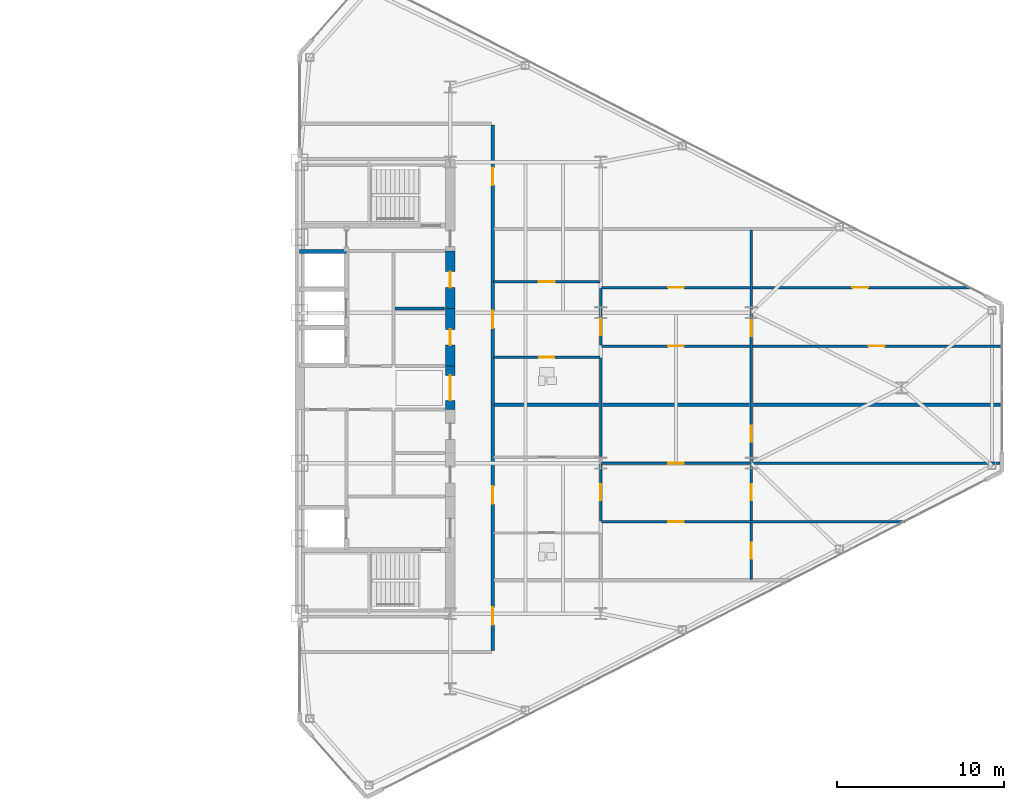
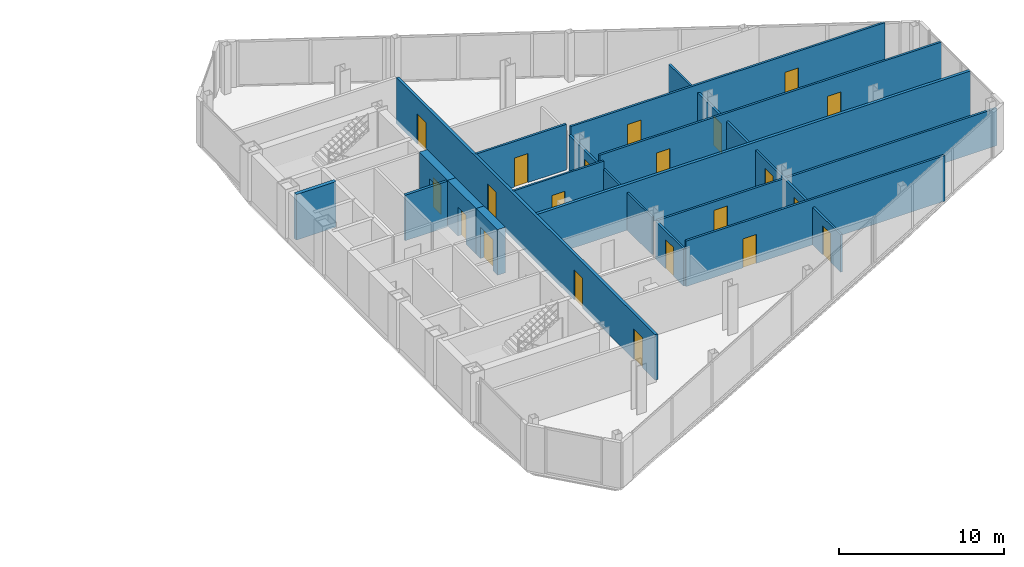
# One storey, part 19 of 23: 21 doors, 17 walls, 21 openings.
"""IFC4 building model written with IfcOpenShell, lengths in metres."""

from ifc_helpers import new_model, si_unit, direction, frame, frame_2d, origin, place, context, subcontext, project, spatial, rectangle, extrude, source, transform, mapped, material, layer, layer_set, type_object, type_shapes, element, fill, save


model = new_model("IFC4")

# Units and contexts
model_context = context("Model", 3, precision=1e-05, world=origin(), true_north=direction((0.0, 1.0)))
body_context = subcontext(model_context, "Body", "Model", "MODEL_VIEW")
ifc_project = project(units=[si_unit("LENGTHUNIT", "METRE"), si_unit("AREAUNIT", "SQUARE_METRE"), si_unit("VOLUMEUNIT", "CUBIC_METRE"), si_unit("PLANEANGLEUNIT", "RADIAN"), si_unit("MASSUNIT", "GRAM", prefix="KILO")], contexts=[model_context])

# Site, building, storey
site_placement = place(None, origin())
site = spatial("IfcSite", under=ifc_project, at=site_placement, CompositionType="ELEMENT")
building_placement = place(site_placement, origin())
building = spatial("IfcBuilding", under=site, at=building_placement, Name="Seokmaru Belvedere", CompositionType="ELEMENT")
storey_placement = place(building_placement, frame((0.0, 0.0, 147.60009765625)))
storey = spatial("IfcBuildingStorey", under=building, at=storey_placement, Name="L39", CompositionType="ELEMENT", Elevation=147.60009765625)

# Wall, opening, door
ifc_material_1 = material(Name="Fire-Rated Gypsum Shaftwall")
ifc_layer_1 = layer(ifc_material_1, 0.14990234375)
ifc_layer_set_1 = layer_set([ifc_layer_1], Name="Fire-Rated Gypsum Shaftwall")
wall_type_1 = type_object("IfcWallType", Name="Apartment Fire-Acoustic Room Partition 150", PredefinedType="PARTITIONING", material=ifc_layer_set_1)
wall_1_placement = place(storey_placement, frame((45.550048828125, -8.0, 0.0), z_axis=(0.0, 0.0, 1.0), x_axis=(1.0, 0.0, 0.0)))
wall_1 = element("IfcWall", 1, at=wall_1_placement, inside=storey, type_object=wall_type_1, Name="L39 Interior Partition 011", PredefinedType="PARTITIONING", context=body_context, shape_type="SweptSolid", body=[
    extrude(rectangle(XDim=18.138916015625, YDim=0.14990234375, at=frame_2d((9.0693359375, 0.0))), origin(), (0.0, 0.0, 1.0), 3.3798828125),
])
opening_1_placement = place(wall_1_placement, frame((3.97509765625, 0.0, 0.0)))
opening_1 = element("IfcOpeningElement", 2, at=opening_1_placement, cuts=wall_1, Name="Opening D05", PredefinedType="OPENING", context=body_context, shape_type="SweptSolid", body=[
    extrude(rectangle(XDim=0.949951171875, YDim=2.14990234375, at=frame_2d((0.47509765625, 1.074951171875))), frame((0.0, 0.0849609375, 0.0), z_axis=(0.0, -1.0, 0.0), x_axis=(1.0, 0.0, 0.0)), (0.0, 0.0, 1.0), 0.169921875),
])
ifc_material_2 = material(Name="Engineered White Oak Timber", Category="wood")
door_type_1 = type_object("IfcDoorType", Name="Apartment Interior Fire-Rated Oak Door 950x2150", OperationType="NOTDEFINED", PredefinedType="DOOR", material=ifc_material_2)
shared_shape_1 = source(origin(), body_context, "Body", "SweptSolid", [
    extrude(rectangle(XDim=0.949951171875, YDim=2.14990234375, at=frame_2d((0.47509765625, 1.074951171875))), frame((0.0, 0.02490234375, 0.0), z_axis=(0.0, -1.0, 0.0), x_axis=(1.0, 0.0, 0.0)), (0.0, 0.0, 1.0), 0.050048828125),
])
type_shapes(door_type_1, [shared_shape_1])
door_1_placement = place(opening_1_placement, origin())
door_1 = element("IfcDoor", 3, at=door_1_placement, inside=storey, type_object=door_type_1, Name="L39 Interior Door 042", OperationType="SINGLE_SWING_RIGHT", OverallHeight=2.14990234375, OverallWidth=0.949951171875, PredefinedType="DOOR", context=body_context, shape_type="MappedRepresentation", body=[
    mapped(shared_shape_1, transform((0.0, 0.0, 0.0), scale=1.0)),
])
fill(opening_1, door_1)

wall_2_placement = place(storey_placement, frame((45.550048828125, -4.5, 0.0), z_axis=(0.0, 0.0, 1.0), x_axis=(1.0, 0.0, 0.0)))
wall_2 = element("IfcWall", 4, at=wall_2_placement, inside=storey, type_object=wall_type_1, Name="L39 Interior Partition 013", PredefinedType="PARTITIONING", context=body_context, shape_type="SweptSolid", body=[
    extrude(rectangle(XDim=23.824951171875, YDim=0.14990234375, at=frame_2d((11.91259765625, 0.0))), origin(), (0.0, 0.0, 1.0), 2.77978515625),
])
opening_2_placement = place(wall_2_placement, frame((3.97509765625, 0.0, 0.0)))
opening_2 = element("IfcOpeningElement", 5, at=opening_2_placement, cuts=wall_2, Name="Opening D05", PredefinedType="OPENING", context=body_context, shape_type="SweptSolid", body=[
    extrude(rectangle(XDim=0.949951171875, YDim=2.14990234375, at=frame_2d((0.47509765625, 1.074951171875))), frame((0.0, 0.0849609375, 0.0), z_axis=(0.0, -1.0, 0.0), x_axis=(1.0, 0.0, 0.0)), (0.0, 0.0, 1.0), 0.169921875),
])
door_2_placement = place(opening_2_placement, origin())
door_2 = element("IfcDoor", 6, at=door_2_placement, inside=storey, type_object=door_type_1, Name="L39 Interior Door 043", OperationType="SINGLE_SWING_LEFT", OverallHeight=2.14990234375, OverallWidth=0.949951171875, PredefinedType="DOOR", context=body_context, shape_type="MappedRepresentation", body=[
    mapped(shared_shape_1, transform((0.0, 0.0, 0.0), scale=1.0)),
])
fill(opening_2, door_2)

# Wall, openings, doors
wall_3_placement = place(storey_placement, frame((45.550048828125, 2.5, 0.0), z_axis=(0.0, 0.0, 1.0), x_axis=(1.0, 0.0, 0.0)))
wall_3 = element("IfcWall", 7, at=wall_3_placement, inside=storey, type_object=wall_type_1, Name="L39 Interior Partition 020", PredefinedType="PARTITIONING", context=body_context, shape_type="SweptSolid", body=[
    extrude(rectangle(XDim=23.98486328125, YDim=0.14990234375, at=frame_2d((11.992431640625, 0.0))), origin(), (0.0, 0.0, 1.0), 3.3798828125),
])
opening_3_placement = place(wall_3_placement, frame((3.97509765625, 0.0, 0.0)))
opening_3 = element("IfcOpeningElement", 8, at=opening_3_placement, cuts=wall_3, Name="Opening D05", PredefinedType="OPENING", context=body_context, shape_type="SweptSolid", body=[
    extrude(rectangle(XDim=0.949951171875, YDim=2.14990234375, at=frame_2d((0.47509765625, 1.074951171875))), frame((0.0, 0.0849609375, 0.0), z_axis=(0.0, -1.0, 0.0), x_axis=(1.0, 0.0, 0.0)), (0.0, 0.0, 1.0), 0.169921875),
])
opening_4_placement = place(wall_3_placement, frame((15.97509765625, 0.0, 0.0)))
opening_4 = element("IfcOpeningElement", 9, at=opening_4_placement, cuts=wall_3, Name="Opening D05", PredefinedType="OPENING", context=body_context, shape_type="SweptSolid", body=[
    extrude(rectangle(XDim=0.949951171875, YDim=2.14990234375, at=frame_2d((0.47509765625, 1.074951171875))), frame((0.0, 0.0849609375, 0.0), z_axis=(0.0, -1.0, 0.0), x_axis=(1.0, 0.0, 0.0)), (0.0, 0.0, 1.0), 0.169921875),
])
door_3_placement = place(opening_3_placement, origin())
door_3 = element("IfcDoor", 10, at=door_3_placement, inside=storey, type_object=door_type_1, Name="L39 Interior Door 051", OperationType="SINGLE_SWING_RIGHT", OverallHeight=2.14990234375, OverallWidth=0.949951171875, PredefinedType="DOOR", context=body_context, shape_type="MappedRepresentation", body=[
    mapped(shared_shape_1, transform((0.0, 0.0, 0.0), scale=1.0)),
])
fill(opening_3, door_3)
door_4_placement = place(opening_4_placement, origin())
door_4 = element("IfcDoor", 11, at=door_4_placement, inside=storey, type_object=door_type_1, Name="L39 Interior Door 053", OperationType="SINGLE_SWING_LEFT", OverallHeight=2.14990234375, OverallWidth=0.949951171875, PredefinedType="DOOR", context=body_context, shape_type="MappedRepresentation", body=[
    mapped(shared_shape_1, transform((0.0, 0.0, 0.0), scale=1.0)),
])
fill(opening_4, door_4)

wall_4_placement = place(storey_placement, frame((45.550048828125, 6.0, 0.0), z_axis=(0.0, 0.0, 1.0), x_axis=(1.0, 0.0, 0.0)))
wall_4 = element("IfcWall", 12, at=wall_4_placement, inside=storey, type_object=wall_type_1, Name="L39 Interior Partition 023", PredefinedType="PARTITIONING", context=body_context, shape_type="SweptSolid", body=[
    extrude(rectangle(XDim=22.035888671875, YDim=0.14990234375, at=frame_2d((11.01806640625, 0.0))), origin(), (0.0, 0.0, 1.0), 3.3798828125),
])
opening_5_placement = place(wall_4_placement, frame((3.97509765625, 0.0, 0.0)))
opening_5 = element("IfcOpeningElement", 13, at=opening_5_placement, cuts=wall_4, Name="Opening D05", PredefinedType="OPENING", context=body_context, shape_type="SweptSolid", body=[
    extrude(rectangle(XDim=0.949951171875, YDim=2.14990234375, at=frame_2d((0.47509765625, 1.074951171875))), frame((0.0, 0.0849609375, 0.0), z_axis=(0.0, -1.0, 0.0), x_axis=(1.0, 0.0, 0.0)), (0.0, 0.0, 1.0), 0.169921875),
])
opening_6_placement = place(wall_4_placement, frame((15.000732421875, 0.0, 0.0)))
opening_6 = element("IfcOpeningElement", 14, at=opening_6_placement, cuts=wall_4, Name="Opening D05", PredefinedType="OPENING", context=body_context, shape_type="SweptSolid", body=[
    extrude(rectangle(XDim=0.949951171875, YDim=2.14990234375, at=frame_2d((0.47509765625, 1.074951171875))), frame((0.0, 0.0849609375, 0.0), z_axis=(0.0, -1.0, 0.0), x_axis=(1.0, 0.0, 0.0)), (0.0, 0.0, 1.0), 0.169921875),
])
door_5_placement = place(opening_5_placement, origin())
door_5 = element("IfcDoor", 15, at=door_5_placement, inside=storey, type_object=door_type_1, Name="L39 Interior Door 052", OperationType="SINGLE_SWING_LEFT", OverallHeight=2.14990234375, OverallWidth=0.949951171875, PredefinedType="DOOR", context=body_context, shape_type="MappedRepresentation", body=[
    mapped(shared_shape_1, transform((0.0, 0.0, 0.0), scale=1.0)),
])
fill(opening_5, door_5)
door_6_placement = place(opening_6_placement, origin())
door_6 = element("IfcDoor", 16, at=door_6_placement, inside=storey, type_object=door_type_1, Name="L39 Interior Door 054", OperationType="SINGLE_SWING_LEFT", OverallHeight=2.14990234375, OverallWidth=0.949951171875, PredefinedType="DOOR", context=body_context, shape_type="MappedRepresentation", body=[
    mapped(shared_shape_1, transform((0.0, 0.0, 0.0), scale=1.0)),
])
fill(opening_6, door_6)

# Wall, opening, door
wall_5_placement = place(storey_placement, frame((39.10009765625, 6.35009765625, 0.0), z_axis=(0.0, 0.0, 1.0), x_axis=(1.0, 0.0, 0.0)))
wall_5 = element("IfcWall", 17, at=wall_5_placement, inside=storey, type_object=wall_type_1, Name="L39 Interior Partition 024", PredefinedType="PARTITIONING", context=body_context, shape_type="SweptSolid", body=[
    extrude(rectangle(XDim=6.349853515625, YDim=0.14990234375, at=frame_2d((3.1748046875, 0.0))), origin(), (0.0, 0.0, 1.0), 3.3798828125),
])
opening_7_placement = place(wall_5_placement, frame((2.699951171875, 0.0, 0.0)))
opening_7 = element("IfcOpeningElement", 18, at=opening_7_placement, cuts=wall_5, Name="Opening D05", PredefinedType="OPENING", context=body_context, shape_type="SweptSolid", body=[
    extrude(rectangle(XDim=0.949951171875, YDim=2.14990234375, at=frame_2d((0.47509765625, 1.074951171875))), frame((0.0, 0.0849609375, 0.0), z_axis=(0.0, -1.0, 0.0), x_axis=(1.0, 0.0, 0.0)), (0.0, 0.0, 1.0), 0.169921875),
])
door_7_placement = place(opening_7_placement, origin())
door_7 = element("IfcDoor", 19, at=door_7_placement, inside=storey, type_object=door_type_1, Name="L39 Interior Door 048", OperationType="SINGLE_SWING_RIGHT", OverallHeight=2.14990234375, OverallWidth=0.949951171875, PredefinedType="DOOR", context=body_context, shape_type="MappedRepresentation", body=[
    mapped(shared_shape_1, transform((0.0, 0.0, 0.0), scale=1.0)),
])
fill(opening_7, door_7)

wall_6_placement = place(storey_placement, frame((45.5, -7.949951171875, 0.0), z_axis=(0.0, 0.0, 1.0), x_axis=(0.0, 1.0, 0.0)))
wall_6 = element("IfcWall", 20, at=wall_6_placement, inside=storey, type_object=wall_type_1, Name="L39 Interior Partition 045", PredefinedType="PARTITIONING", context=body_context, shape_type="SweptSolid", body=[
    extrude(rectangle(XDim=3.39990234375, YDim=0.14990234375, at=frame_2d((1.699951171875, 0.0))), origin(), (0.0, 0.0, 1.0), 2.77978515625),
])
opening_8_placement = place(wall_6_placement, frame((1.22509765625, 0.0, 0.0)))
opening_8 = element("IfcOpeningElement", 21, at=opening_8_placement, cuts=wall_6, Name="Opening D05", PredefinedType="OPENING", context=body_context, shape_type="SweptSolid", body=[
    extrude(rectangle(XDim=0.949951171875, YDim=2.14990234375, at=frame_2d((0.47509765625, 1.074951171875))), frame((0.0, 0.0849609375, 0.0), z_axis=(0.0, -1.0, 0.0), x_axis=(1.0, 0.0, 0.0)), (0.0, 0.0, 1.0), 0.169921875),
])
door_8_placement = place(opening_8_placement, origin())
door_8 = element("IfcDoor", 22, at=door_8_placement, inside=storey, type_object=door_type_1, Name="L39 Interior Door 040", OperationType="SINGLE_SWING_LEFT", OverallHeight=2.14990234375, OverallWidth=0.949951171875, PredefinedType="DOOR", context=body_context, shape_type="MappedRepresentation", body=[
    mapped(shared_shape_1, transform((0.0, 0.0, 0.0), scale=1.0)),
])
fill(opening_8, door_8)

wall_7_placement = place(storey_placement, frame((45.5, 2.550048828125, 0.0), z_axis=(0.0, 0.0, 1.0), x_axis=(0.0, 1.0, 0.0)))
wall_7 = element("IfcWall", 23, at=wall_7_placement, inside=storey, type_object=wall_type_1, Name="L39 Interior Partition 047", PredefinedType="PARTITIONING", context=body_context, shape_type="SweptSolid", body=[
    extrude(rectangle(XDim=3.39990234375, YDim=0.14990234375, at=frame_2d((1.699951171875, 0.0))), origin(), (0.0, 0.0, 1.0), 2.77978515625),
])
opening_9_placement = place(wall_7_placement, frame((0.5859375, 0.0, 0.0)))
opening_9 = element("IfcOpeningElement", 24, at=opening_9_placement, cuts=wall_7, Name="Opening D05", PredefinedType="OPENING", context=body_context, shape_type="SweptSolid", body=[
    extrude(rectangle(XDim=0.949951171875, YDim=2.14990234375, at=frame_2d((0.47509765625, 1.074951171875))), frame((0.0, 0.0849609375, 0.0), z_axis=(0.0, -1.0, 0.0), x_axis=(1.0, 0.0, 0.0)), (0.0, 0.0, 1.0), 0.169921875),
])
door_9_placement = place(opening_9_placement, origin())
door_9 = element("IfcDoor", 25, at=door_9_placement, inside=storey, type_object=door_type_1, Name="L39 Interior Door 049", OperationType="SINGLE_SWING_LEFT", OverallHeight=2.14990234375, OverallWidth=0.949951171875, PredefinedType="DOOR", context=body_context, shape_type="MappedRepresentation", body=[
    mapped(shared_shape_1, transform((0.0, 0.0, 0.0), scale=1.0)),
])
fill(opening_9, door_9)

# Wall, openings, doors
wall_8_placement = place(storey_placement, frame((54.5, -11.449951171875, 0.0), z_axis=(0.0, 0.0, 1.0), x_axis=(0.0, 1.0, 0.0)))
wall_8 = element("IfcWall", 26, at=wall_8_placement, inside=storey, type_object=wall_type_1, Name="L39 Interior Partition 049", PredefinedType="PARTITIONING", context=body_context, shape_type="SweptSolid", body=[
    extrude(rectangle(XDim=20.89990234375, YDim=0.14990234375, at=frame_2d((10.449951171875, 0.0))), origin(), (0.0, 0.0, 1.0), 2.77978515625),
])
opening_10_placement = place(wall_8_placement, frame((4.72509765625, 0.0, 0.0)))
opening_10 = element("IfcOpeningElement", 27, at=opening_10_placement, cuts=wall_8, Name="Opening D05", PredefinedType="OPENING", context=body_context, shape_type="SweptSolid", body=[
    extrude(rectangle(XDim=0.949951171875, YDim=2.14990234375, at=frame_2d((0.47509765625, 1.074951171875))), frame((0.0, 0.0849609375, 0.0), z_axis=(0.0, -1.0, 0.0), x_axis=(1.0, 0.0, 0.0)), (0.0, 0.0, 1.0), 0.169921875),
])
opening_11_placement = place(wall_8_placement, frame((1.22509765625, 0.0, 0.0)))
opening_11 = element("IfcOpeningElement", 28, at=opening_11_placement, cuts=wall_8, Name="Opening D05", PredefinedType="OPENING", context=body_context, shape_type="SweptSolid", body=[
    extrude(rectangle(XDim=0.949951171875, YDim=2.14990234375, at=frame_2d((0.47509765625, 1.074951171875))), frame((0.0, 0.0849609375, 0.0), z_axis=(0.0, -1.0, 0.0), x_axis=(1.0, 0.0, 0.0)), (0.0, 0.0, 1.0), 0.169921875),
])
opening_12_placement = place(wall_8_placement, frame((8.22509765625, 0.0, 0.0)))
opening_12 = element("IfcOpeningElement", 29, at=opening_12_placement, cuts=wall_8, Name="Opening D05", PredefinedType="OPENING", context=body_context, shape_type="SweptSolid", body=[
    extrude(rectangle(XDim=0.949951171875, YDim=2.14990234375, at=frame_2d((0.47509765625, 1.074951171875))), frame((0.0, 0.0849609375, 0.0), z_axis=(0.0, -1.0, 0.0), x_axis=(1.0, 0.0, 0.0)), (0.0, 0.0, 1.0), 0.169921875),
])
opening_13_placement = place(wall_8_placement, frame((14.55224609375, 0.0, 0.0)))
opening_13 = element("IfcOpeningElement", 30, at=opening_13_placement, cuts=wall_8, Name="Opening D05", PredefinedType="OPENING", context=body_context, shape_type="SweptSolid", body=[
    extrude(rectangle(XDim=0.949951171875, YDim=2.14990234375, at=frame_2d((0.47509765625, 1.074951171875))), frame((0.0, 0.0849609375, 0.0), z_axis=(0.0, -1.0, 0.0), x_axis=(1.0, 0.0, 0.0)), (0.0, 0.0, 1.0), 0.169921875),
])
door_10_placement = place(opening_10_placement, origin())
door_10 = element("IfcDoor", 31, at=door_10_placement, inside=storey, type_object=door_type_1, Name="L39 Interior Door 041", OperationType="SINGLE_SWING_RIGHT", OverallHeight=2.14990234375, OverallWidth=0.949951171875, PredefinedType="DOOR", context=body_context, shape_type="MappedRepresentation", body=[
    mapped(shared_shape_1, transform((0.0, 0.0, 0.0), scale=1.0)),
])
fill(opening_10, door_10)
door_11_placement = place(opening_11_placement, origin())
door_11 = element("IfcDoor", 32, at=door_11_placement, inside=storey, type_object=door_type_1, Name="L39 Interior Door 044", OperationType="SINGLE_SWING_LEFT", OverallHeight=2.14990234375, OverallWidth=0.949951171875, PredefinedType="DOOR", context=body_context, shape_type="MappedRepresentation", body=[
    mapped(shared_shape_1, transform((0.0, 0.0, 0.0), scale=1.0)),
])
fill(opening_11, door_11)
door_12_placement = place(opening_12_placement, origin())
door_12 = element("IfcDoor", 33, at=door_12_placement, inside=storey, type_object=door_type_1, Name="L39 Interior Door 045", OperationType="SINGLE_SWING_RIGHT", OverallHeight=2.14990234375, OverallWidth=0.949951171875, PredefinedType="DOOR", context=body_context, shape_type="MappedRepresentation", body=[
    mapped(shared_shape_1, transform((0.0, 0.0, 0.0), scale=1.0)),
])
fill(opening_12, door_12)
door_13_placement = place(opening_13_placement, origin())
door_13 = element("IfcDoor", 34, at=door_13_placement, inside=storey, type_object=door_type_1, Name="L39 Interior Door 050", OperationType="SINGLE_SWING_RIGHT", OverallHeight=2.14990234375, OverallWidth=0.949951171875, PredefinedType="DOOR", context=body_context, shape_type="MappedRepresentation", body=[
    mapped(shared_shape_1, transform((0.0, 0.0, 0.0), scale=1.0)),
])
fill(opening_13, door_13)

# Walls
ifc_layer_2 = layer(ifc_material_1, 0.179931640625)
ifc_layer_set_2 = layer_set([ifc_layer_2], Name="Fire-Rated Gypsum Shaftwall")
wall_type_2 = type_object("IfcWallType", Name="Core Service Fire Partition 180", PredefinedType="PARTITIONING", material=ifc_layer_set_2)
wall_9_placement = place(storey_placement, frame((33.199951171875, 4.75, 0.0), z_axis=(0.0, 0.0, 1.0), x_axis=(1.0, 0.0, 0.0)))
element("IfcWall", 35, at=wall_9_placement, inside=storey, type_object=wall_type_2, Name="L39 East Core Service Partition 2", PredefinedType="PARTITIONING", context=body_context, shape_type="SweptSolid", body=[
    extrude(rectangle(XDim=2.949951171875, YDim=0.179931640625, at=frame_2d((1.47509765625, 0.0))), origin(), (0.0, 0.0, 1.0), 3.3798828125),
])
ifc_material_3 = material(Name="Concrete C50 (50 MPa)", Category="concrete")
ifc_layer_3 = layer(ifc_material_3, 0.25)
ifc_layer_set_3 = layer_set([ifc_layer_3], Name="Concrete C50 (50 MPa)")
wall_type_3 = type_object("IfcWallType", Name="Hoistway Transverse Concrete Divider Wall 250", PredefinedType="SHEAR", material=ifc_layer_set_3)
wall_10_placement = place(storey_placement, frame((27.5, 8.14990234375, 0.0), z_axis=(0.0, 0.0, 1.0), x_axis=(1.0, 0.0, 0.0)))
element("IfcWall", 36, at=wall_10_placement, inside=storey, type_object=wall_type_3, Name="L39 East Hoistway Divider Core Wall 5", PredefinedType="SHEAR", context=body_context, shape_type="SweptSolid", body=[
    extrude(rectangle(XDim=2.800048828125, YDim=0.25, at=frame_2d((1.39990234375, 0.0))), origin(), (0.0, 0.0, 1.0), 3.3798828125),
])
ifc_layer_4 = layer(ifc_material_1, 0.199951171875)
ifc_layer_set_4 = layer_set([ifc_layer_4], Name="Fire-Rated Gypsum Shaftwall")
wall_type_4 = type_object("IfcWallType", Name="Inter-Tenancy Fire Compartment Partition 200", PredefinedType="PARTITIONING", material=ifc_layer_set_4)
wall_11_placement = place(storey_placement, frame((39.1298828125, -1.0, 0.0), z_axis=(0.0, 0.0, 1.0), x_axis=(1.0, 0.0, 0.0)))
element("IfcWall", 37, at=wall_11_placement, inside=storey, type_object=wall_type_4, Name="L39 Interior Partition 017", PredefinedType="PARTITIONING", context=body_context, shape_type="SweptSolid", body=[
    extrude(rectangle(XDim=30.375, YDim=0.199951171875, at=frame_2d((15.1875, 0.0))), origin(), (0.0, 0.0, 1.0), 3.3798828125),
])

# Wall, openings, doors
wall_12_placement = place(storey_placement, frame((39.050048828125, -15.715087890625, 0.0), z_axis=(0.0, 0.0, 1.0), x_axis=(0.0, 1.0, 0.0)))
wall_12 = element("IfcWall", 38, at=wall_12_placement, inside=storey, type_object=wall_type_4, Name="L39 Interior Partition 043", PredefinedType="PARTITIONING", context=body_context, shape_type="SweptSolid", body=[
    extrude(rectangle(XDim=31.43017578125, YDim=0.199951171875, at=frame_2d((15.715087890625, 0.0))), origin(), (0.0, 0.0, 1.0), 3.3798828125),
])
opening_14_placement = place(wall_12_placement, frame((1.5400390625, 0.0, 0.0)))
opening_14 = element("IfcOpeningElement", 39, at=opening_14_placement, cuts=wall_12, Name="Opening D03", PredefinedType="OPENING", context=body_context, shape_type="SweptSolid", body=[
    extrude(rectangle(XDim=1.050048828125, YDim=2.25, at=frame_2d((0.52490234375, 1.125))), frame((0.0, 0.10986328125, 0.0), z_axis=(0.0, -1.0, 0.0), x_axis=(1.0, 0.0, 0.0)), (0.0, 0.0, 1.0), 0.219970703125),
])
opening_15_placement = place(wall_12_placement, frame((8.782470703125, 0.0, 0.0)))
opening_15 = element("IfcOpeningElement", 40, at=opening_15_placement, cuts=wall_12, Name="Opening D03", PredefinedType="OPENING", context=body_context, shape_type="SweptSolid", body=[
    extrude(rectangle(XDim=1.050048828125, YDim=2.25, at=frame_2d((0.52490234375, 1.125))), frame((0.0, 0.10986328125, 0.0), z_axis=(0.0, -1.0, 0.0), x_axis=(1.0, 0.0, 0.0)), (0.0, 0.0, 1.0), 0.219970703125),
])
opening_16_placement = place(wall_12_placement, frame((19.282470703125, 0.0, 0.0)))
opening_16 = element("IfcOpeningElement", 41, at=opening_16_placement, cuts=wall_12, Name="Opening D03", PredefinedType="OPENING", context=body_context, shape_type="SweptSolid", body=[
    extrude(rectangle(XDim=1.050048828125, YDim=2.25, at=frame_2d((0.52490234375, 1.125))), frame((0.0, 0.10986328125, 0.0), z_axis=(0.0, -1.0, 0.0), x_axis=(1.0, 0.0, 0.0)), (0.0, 0.0, 1.0), 0.219970703125),
])
opening_17_placement = place(wall_12_placement, frame((27.840087890625, 0.0, 0.0)))
opening_17 = element("IfcOpeningElement", 42, at=opening_17_placement, cuts=wall_12, Name="Opening D03", PredefinedType="OPENING", context=body_context, shape_type="SweptSolid", body=[
    extrude(rectangle(XDim=1.050048828125, YDim=2.25, at=frame_2d((0.52490234375, 1.125))), frame((0.0, 0.10986328125, 0.0), z_axis=(0.0, -1.0, 0.0), x_axis=(1.0, 0.0, 0.0)), (0.0, 0.0, 1.0), 0.219970703125),
])
ifc_material_4 = material(Name="Fire-Rated Steel Leaf", Category="steel")
door_type_2 = type_object("IfcDoorType", Name="Apartment Entrance Fire Door 1050x2250", OperationType="NOTDEFINED", PredefinedType="DOOR", material=ifc_material_4)
shared_shape_2 = source(origin(), body_context, "Body", "SweptSolid", [
    extrude(rectangle(XDim=1.050048828125, YDim=2.25, at=frame_2d((0.52490234375, 1.125))), frame((0.0, 0.02490234375, 0.0), z_axis=(0.0, -1.0, 0.0), x_axis=(1.0, 0.0, 0.0)), (0.0, 0.0, 1.0), 0.050048828125),
])
type_shapes(door_type_2, [shared_shape_2])
door_14_placement = place(opening_14_placement, origin())
door_14 = element("IfcDoor", 43, at=door_14_placement, inside=storey, type_object=door_type_2, Name="L39 Interior Door 036", OperationType="SINGLE_SWING_LEFT", OverallHeight=2.25, OverallWidth=1.050048828125, PredefinedType="DOOR", context=body_context, shape_type="MappedRepresentation", body=[
    mapped(shared_shape_2, transform((0.0, 0.0, 0.0), scale=1.0)),
])
fill(opening_14, door_14)
door_15_placement = place(opening_15_placement, origin())
door_15 = element("IfcDoor", 44, at=door_15_placement, inside=storey, type_object=door_type_2, Name="L39 Interior Door 037", OperationType="SINGLE_SWING_RIGHT", OverallHeight=2.25, OverallWidth=1.050048828125, PredefinedType="DOOR", context=body_context, shape_type="MappedRepresentation", body=[
    mapped(shared_shape_2, transform((0.0, 0.0, 0.0), scale=1.0)),
])
fill(opening_15, door_15)
door_16_placement = place(opening_16_placement, origin())
door_16 = element("IfcDoor", 45, at=door_16_placement, inside=storey, type_object=door_type_2, Name="L39 Interior Door 046", OperationType="SINGLE_SWING_LEFT", OverallHeight=2.25, OverallWidth=1.050048828125, PredefinedType="DOOR", context=body_context, shape_type="MappedRepresentation", body=[
    mapped(shared_shape_2, transform((0.0, 0.0, 0.0), scale=1.0)),
])
fill(opening_16, door_16)
door_17_placement = place(opening_17_placement, origin())
door_17 = element("IfcDoor", 46, at=door_17_placement, inside=storey, type_object=door_type_2, Name="L39 Interior Door 055", OperationType="SINGLE_SWING_RIGHT", OverallHeight=2.25, OverallWidth=1.050048828125, PredefinedType="DOOR", context=body_context, shape_type="MappedRepresentation", body=[
    mapped(shared_shape_2, transform((0.0, 0.0, 0.0), scale=1.0)),
])
fill(opening_17, door_17)

# Wall, opening, door
ifc_layer_5 = layer(ifc_material_3, 0.550048828125)
ifc_layer_set_5 = layer_set([ifc_layer_5], Name="Concrete C50 (50 MPa)")
wall_type_5 = type_object("IfcWallType", Name="Mid-High Reinforced Concrete Core Wall 550", PredefinedType="SHEAR", material=ifc_layer_set_5)
wall_13_placement = place(storey_placement, frame((36.5, -1.300048828125, 0.0), z_axis=(0.0, 0.0, 1.0), x_axis=(0.0, 1.0, 0.0)))
wall_13 = element("IfcWall", 47, at=wall_13_placement, inside=storey, type_object=wall_type_5, Name="L39 East West Core Wall FOY", PredefinedType="SHEAR", context=body_context, shape_type="SweptSolid", body=[
    extrude(rectangle(XDim=2.60009765625, YDim=0.550048828125, at=frame_2d((1.300048828125, 0.0))), origin(), (0.0, 0.0, 1.0), 3.3798828125),
])
opening_18_placement = place(wall_13_placement, frame((0.550048828125, 0.0, 0.0)))
opening_18 = element("IfcOpeningElement", 48, at=opening_18_placement, cuts=wall_13, Name="Opening D08", PredefinedType="OPENING", context=body_context, shape_type="SweptSolid", body=[
    extrude(rectangle(XDim=1.5, YDim=2.300048828125, at=frame_2d((0.75, 1.14990234375))), frame((0.0, 0.28515625, 0.0), z_axis=(0.0, -1.0, 0.0), x_axis=(1.0, 0.0, 0.0)), (0.0, 0.0, 1.0), 0.570068359375),
])
door_type_3 = type_object("IfcDoorType", Name="Cross-Corridor Compartment Double Fire Door 1500x2300", OperationType="DOUBLE_SWING_LEFT", PredefinedType="DOOR", material=ifc_material_4)
shared_shape_3 = source(origin(), body_context, "Body", "SweptSolid", [
    extrude(rectangle(XDim=1.5, YDim=2.300048828125, at=frame_2d((0.75, 1.14990234375))), frame((0.0, 0.02490234375, 0.0), z_axis=(0.0, -1.0, 0.0), x_axis=(1.0, 0.0, 0.0)), (0.0, 0.0, 1.0), 0.050048828125),
])
type_shapes(door_type_3, [shared_shape_3])
door_18_placement = place(opening_18_placement, origin())
door_18 = element("IfcDoor", 49, at=door_18_placement, inside=storey, type_object=door_type_3, Name="L39 East Core Foyer Compartment Door", OperationType="DOUBLE_SWING_LEFT", OverallHeight=2.300048828125, OverallWidth=1.5, PredefinedType="DOOR", context=body_context, shape_type="MappedRepresentation", body=[
    mapped(shared_shape_3, transform((0.0, 0.0, 0.0), scale=1.0)),
])
fill(opening_18, door_18)

wall_14_placement = place(storey_placement, frame((36.5, 1.300048828125, 0.0), z_axis=(0.0, 0.0, 1.0), x_axis=(0.0, 1.0, 0.0)))
wall_14 = element("IfcWall", 50, at=wall_14_placement, inside=storey, type_object=wall_type_5, Name="L39 East West Core Wall CS3", PredefinedType="SHEAR", context=body_context, shape_type="SweptSolid", body=[
    extrude(rectangle(XDim=3.449951171875, YDim=0.550048828125, at=frame_2d((1.72509765625, 0.0))), origin(), (0.0, 0.0, 1.0), 3.3798828125),
])
opening_19_placement = place(wall_14_placement, frame((1.25, 0.0, 0.0)))
opening_19 = element("IfcOpeningElement", 51, at=opening_19_placement, cuts=wall_14, Name="Opening D04", PredefinedType="OPENING", context=body_context, shape_type="SweptSolid", body=[
    extrude(rectangle(XDim=0.949951171875, YDim=2.14990234375, at=frame_2d((0.47509765625, 1.074951171875))), frame((0.0, 0.28515625, 0.0), z_axis=(0.0, -1.0, 0.0), x_axis=(1.0, 0.0, 0.0)), (0.0, 0.0, 1.0), 0.570068359375),
])
door_type_4 = type_object("IfcDoorType", Name="Core Service Room Fire Door 950x2150", OperationType="NOTDEFINED", PredefinedType="DOOR", material=ifc_material_4)
shared_shape_4 = source(origin(), body_context, "Body", "SweptSolid", [
    extrude(rectangle(XDim=0.949951171875, YDim=2.14990234375, at=frame_2d((0.47509765625, 1.074951171875))), frame((0.0, 0.02490234375, 0.0), z_axis=(0.0, -1.0, 0.0), x_axis=(1.0, 0.0, 0.0)), (0.0, 0.0, 1.0), 0.050048828125),
])
type_shapes(door_type_4, [shared_shape_4])
door_19_placement = place(opening_19_placement, origin())
door_19 = element("IfcDoor", 52, at=door_19_placement, inside=storey, type_object=door_type_4, Name="L39 East Core Service Room Door 3", OperationType="SINGLE_SWING_RIGHT", OverallHeight=2.14990234375, OverallWidth=0.949951171875, PredefinedType="DOOR", context=body_context, shape_type="MappedRepresentation", body=[
    mapped(shared_shape_4, transform((0.0, 0.0, 0.0), scale=1.0)),
])
fill(opening_19, door_19)

wall_15_placement = place(storey_placement, frame((36.5, 4.75, 0.0), z_axis=(0.0, 0.0, 1.0), x_axis=(0.0, 1.0, 0.0)))
wall_15 = element("IfcWall", 53, at=wall_15_placement, inside=storey, type_object=wall_type_5, Name="L39 East West Core Wall CS4", PredefinedType="SHEAR", context=body_context, shape_type="SweptSolid", body=[
    extrude(rectangle(XDim=3.449951171875, YDim=0.550048828125, at=frame_2d((1.72509765625, 0.0))), origin(), (0.0, 0.0, 1.0), 3.3798828125),
])
opening_20_placement = place(wall_15_placement, frame((1.25, 0.0, 0.0)))
opening_20 = element("IfcOpeningElement", 54, at=opening_20_placement, cuts=wall_15, Name="Opening D04", PredefinedType="OPENING", context=body_context, shape_type="SweptSolid", body=[
    extrude(rectangle(XDim=0.949951171875, YDim=2.14990234375, at=frame_2d((0.47509765625, 1.074951171875))), frame((0.0, 0.28515625, 0.0), z_axis=(0.0, -1.0, 0.0), x_axis=(1.0, 0.0, 0.0)), (0.0, 0.0, 1.0), 0.570068359375),
])
door_20_placement = place(opening_20_placement, origin())
door_20 = element("IfcDoor", 55, at=door_20_placement, inside=storey, type_object=door_type_4, Name="L39 East Core Service Room Door 4", OperationType="SINGLE_SWING_LEFT", OverallHeight=2.14990234375, OverallWidth=0.949951171875, PredefinedType="DOOR", context=body_context, shape_type="MappedRepresentation", body=[
    mapped(shared_shape_4, transform((0.0, 0.0, 0.0), scale=1.0)),
])
fill(opening_20, door_20)

ifc_layer_6 = layer(ifc_material_1, 0.1298828125)
ifc_layer_set_6 = layer_set([ifc_layer_6], Name="Fire-Rated Gypsum Shaftwall")
wall_type_6 = type_object("IfcWallType", Name="Moisture-Resistant Fire-Rated Bathroom Partition 130", PredefinedType="PARTITIONING", material=ifc_layer_set_6)
wall_16_placement = place(storey_placement, frame((39.10009765625, 1.830078125, 0.0), z_axis=(0.0, 0.0, 1.0), x_axis=(1.0, 0.0, 0.0)))
wall_16 = element("IfcWall", 56, at=wall_16_placement, inside=storey, type_object=wall_type_6, Name="L39 Interior Partition 019", PredefinedType="PARTITIONING", context=body_context, shape_type="SweptSolid", body=[
    extrude(rectangle(XDim=6.349853515625, YDim=0.1298828125, at=frame_2d((3.1748046875, 0.0))), origin(), (0.0, 0.0, 1.0), 3.3798828125),
])
opening_21_placement = place(wall_16_placement, frame((2.735107421875, 0.0, 0.0)))
opening_21 = element("IfcOpeningElement", 57, at=opening_21_placement, cuts=wall_16, Name="Opening D06", PredefinedType="OPENING", context=body_context, shape_type="SweptSolid", body=[
    extrude(rectangle(XDim=0.8798828125, YDim=2.10009765625, at=frame_2d((0.43994140625, 1.050048828125))), frame((0.0, 0.074951171875, 0.0), z_axis=(0.0, -1.0, 0.0), x_axis=(1.0, 0.0, 0.0)), (0.0, 0.0, 1.0), 0.14990234375),
])
door_type_5 = type_object("IfcDoorType", Name="Bathroom and Restroom Fire-Rated Door 880x2100", OperationType="NOTDEFINED", PredefinedType="DOOR", material=ifc_material_2)
shared_shape_5 = source(origin(), body_context, "Body", "SweptSolid", [
    extrude(rectangle(XDim=0.8798828125, YDim=2.10009765625, at=frame_2d((0.43994140625, 1.050048828125))), frame((0.0, 0.02490234375, 0.0), z_axis=(0.0, -1.0, 0.0), x_axis=(1.0, 0.0, 0.0)), (0.0, 0.0, 1.0), 0.050048828125),
])
type_shapes(door_type_5, [shared_shape_5])
door_21_placement = place(opening_21_placement, origin())
door_21 = element("IfcDoor", 58, at=door_21_placement, inside=storey, type_object=door_type_5, Name="L39 Interior Door 047", OperationType="SINGLE_SWING_RIGHT", OverallHeight=2.10009765625, OverallWidth=0.8798828125, PredefinedType="DOOR", context=body_context, shape_type="MappedRepresentation", body=[
    mapped(shared_shape_5, transform((0.0, 0.0, 0.0), scale=1.0)),
])
fill(opening_21, door_21)

# Wall
wall_17_placement = place(storey_placement, frame((45.5, -4.097900390625, 0.0), z_axis=(0.0, 0.0, 1.0), x_axis=(0.0, 1.0, 0.0)))
element("IfcWall", 59, at=wall_17_placement, inside=storey, type_object=wall_type_6, Name="L39 Interior Partition 046", PredefinedType="PARTITIONING", context=body_context, shape_type="SweptSolid", body=[
    extrude(rectangle(XDim=5.880859375, YDim=0.1298828125, at=frame_2d((2.9404296875, 0.0))), origin(), (0.0, 0.0, 1.0), 2.77978515625),
])

save(model, "model.ifc")
